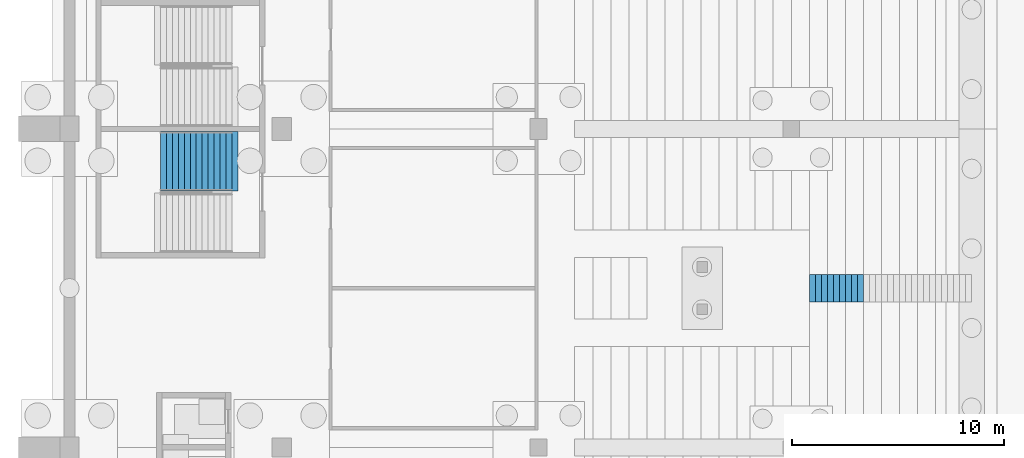
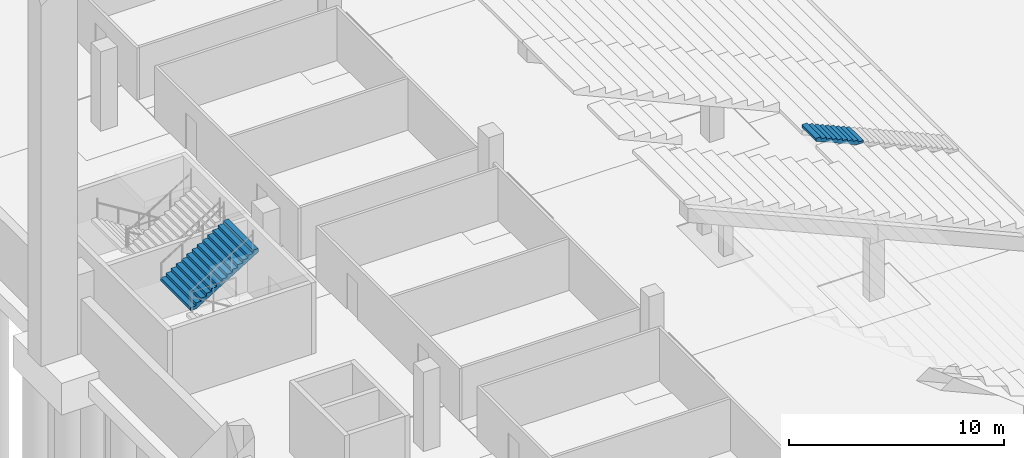
# One storey, part 77 of 115: 2 stair flights, 2 elements without a shape of their own.
"""IFC4 building model written with IfcOpenShell, lengths in metres."""

from ifc_helpers import new_model, si_unit, direction, frame, origin, place, context, subcontext, project, spatial, faceted_brep, material, type_object, element, aggregate, save


model = new_model("IFC4")

# Units and contexts
model_context = context("Model", 3, precision=1e-05, world=origin(), true_north=direction((0.0, 1.0)))
body_context = subcontext(model_context, "Body", "Model", "MODEL_VIEW")
ifc_project = project(units=[si_unit("LENGTHUNIT", "METRE"), si_unit("AREAUNIT", "SQUARE_METRE"), si_unit("VOLUMEUNIT", "CUBIC_METRE"), si_unit("PLANEANGLEUNIT", "RADIAN"), si_unit("MASSUNIT", "GRAM", prefix="KILO")], contexts=[model_context])

# Site, building, storey
site_placement = place(None, origin())
site = spatial("IfcSite", under=ifc_project, at=site_placement, CompositionType="ELEMENT")
building_placement = place(site_placement, origin())
building = spatial("IfcBuilding", under=site, at=building_placement, Name="Ogive Plaza Stadium", CompositionType="ELEMENT")
storey_placement = place(building_placement, frame((0.0, 0.0, -4.5)))
storey = spatial("IfcBuildingStorey", under=building, at=storey_placement, Name="B1", CompositionType="ELEMENT", Elevation=-4.5)

# Stair, stair flight
ifc_material_1 = material(Name="Concrete C40/50", Category="concrete")
stair_type_1 = type_object("IfcStairType", Name="Aisle stair", PredefinedType="STRAIGHT_RUN_STAIR", material=ifc_material_1)
stair_1_placement = place(storey_placement, origin())
stair_1 = element("IfcStair", 1, at=stair_1_placement, inside=storey, type_object=stair_type_1, Name="Aisle stair SA25D", PredefinedType="STRAIGHT_RUN_STAIR")
ifc_material_2 = material(Name="Concrete C40/50", Category="concrete")
stair_flight_type_1 = type_object("IfcStairFlightType", Name="Aisle stair flight", PredefinedType="STRAIGHT", material=ifc_material_2)
stair_flight_1_placement = place(storey_placement, frame((-46.60009765625, 15.0, 3.375), z_axis=(0.0, 0.0, 1.0), x_axis=(-1.0, 0.0, 0.0)))
stair_flight_1 = element("IfcStairFlight", 2, at=stair_flight_1_placement, type_object=stair_flight_type_1, Name="SA25D flight 2", NumberOfRisers=9, NumberOfTreads=8, PredefinedType="STRAIGHT", RiserHeight=0.125, TreadLength=0.283333333, context=body_context, shape_type="Brep", body=[
    faceted_brep([(0.371337890625, -0.64990234375, 0.0), (2.550048828125, -0.64990234375, 0.961181640625), (2.550048828125, -0.64990234375, 1.125), (2.2666015625, -0.64990234375, 1.125), (2.2666015625, -0.64990234375, 1.0), (1.9833984375, -0.64990234375, 1.0), (1.9833984375, -0.64990234375, 0.875), (1.699951171875, -0.64990234375, 0.875), (1.699951171875, -0.64990234375, 0.75), (1.416748046875, -0.64990234375, 0.75), (1.416748046875, -0.64990234375, 0.625), (1.13330078125, -0.64990234375, 0.625), (1.13330078125, -0.64990234375, 0.5), (0.85009765625, -0.64990234375, 0.5), (0.85009765625, -0.64990234375, 0.375), (0.566650390625, -0.64990234375, 0.375), (0.566650390625, -0.64990234375, 0.25), (0.283447265625, -0.64990234375, 0.25), (0.283447265625, -0.64990234375, 0.125), (0.0, -0.64990234375, 0.125), (0.0, -0.64990234375, 0.0), (0.0, 0.64990234375, 0.0), (0.0, 0.64990234375, 0.125), (0.283447265625, 0.64990234375, 0.125), (0.283447265625, 0.64990234375, 0.25), (0.566650390625, 0.64990234375, 0.25), (0.566650390625, 0.64990234375, 0.375), (0.85009765625, 0.64990234375, 0.375), (0.85009765625, 0.64990234375, 0.5), (1.13330078125, 0.64990234375, 0.5), (1.13330078125, 0.64990234375, 0.625), (1.416748046875, 0.64990234375, 0.625), (1.416748046875, 0.64990234375, 0.75), (1.699951171875, 0.64990234375, 0.75), (1.699951171875, 0.64990234375, 0.875), (1.9833984375, 0.64990234375, 0.875), (1.9833984375, 0.64990234375, 1.0), (2.2666015625, 0.64990234375, 1.0), (2.2666015625, 0.64990234375, 1.125), (2.550048828125, 0.64990234375, 1.125), (2.550048828125, 0.64990234375, 0.961181640625), (0.371337890625, 0.64990234375, 0.0), (0.371337890625, -0.324951171875, 0.0), (2.550048828125, -0.324951171875, 0.961181640625), (0.371337890625, 0.0, 0.0), (2.550048828125, 0.0, 0.961181640625), (0.371337890625, 0.324951171875, 0.0), (2.550048828125, 0.324951171875, 0.961181640625), (2.550048828125, -0.324951171875, 1.125), (2.550048828125, 0.0, 1.125), (2.550048828125, 0.324951171875, 1.125), (2.2666015625, -0.324951171875, 1.125), (2.2666015625, 0.0, 1.125), (2.2666015625, 0.324951171875, 1.125), (2.2666015625, -0.324951171875, 1.0), (2.2666015625, 0.0, 1.0), (2.2666015625, 0.324951171875, 1.0), (1.9833984375, -0.324951171875, 1.0), (1.9833984375, 0.0, 1.0), (1.9833984375, 0.324951171875, 1.0), (1.9833984375, -0.324951171875, 0.875), (1.9833984375, 0.0, 0.875), (1.9833984375, 0.324951171875, 0.875), (1.699951171875, -0.324951171875, 0.875), (1.699951171875, 0.0, 0.875), (1.699951171875, 0.324951171875, 0.875), (1.699951171875, -0.324951171875, 0.75), (1.699951171875, 0.0, 0.75), (1.699951171875, 0.324951171875, 0.75), (1.416748046875, -0.324951171875, 0.75), (1.416748046875, 0.0, 0.75), (1.416748046875, 0.324951171875, 0.75), (1.416748046875, -0.324951171875, 0.625), (1.416748046875, 0.0, 0.625), (1.416748046875, 0.324951171875, 0.625), (1.13330078125, -0.324951171875, 0.625), (1.13330078125, 0.0, 0.625), (1.13330078125, 0.324951171875, 0.625), (1.13330078125, -0.324951171875, 0.5), (1.13330078125, 0.0, 0.5), (1.13330078125, 0.324951171875, 0.5), (0.85009765625, -0.324951171875, 0.5), (0.85009765625, 0.0, 0.5), (0.85009765625, 0.324951171875, 0.5), (0.85009765625, -0.324951171875, 0.375), (0.85009765625, 0.0, 0.375), (0.85009765625, 0.324951171875, 0.375), (0.566650390625, -0.324951171875, 0.375), (0.566650390625, 0.0, 0.375), (0.566650390625, 0.324951171875, 0.375), (0.566650390625, -0.324951171875, 0.25), (0.566650390625, 0.0, 0.25), (0.566650390625, 0.324951171875, 0.25), (0.283447265625, -0.324951171875, 0.25), (0.283447265625, 0.0, 0.25), (0.283447265625, 0.324951171875, 0.25), (0.283447265625, -0.324951171875, 0.125), (0.283447265625, 0.0, 0.125), (0.283447265625, 0.324951171875, 0.125), (0.0, -0.324951171875, 0.125), (0.0, 0.0, 0.125), (0.0, 0.324951171875, 0.125), (0.0, -0.324951171875, 0.0), (0.0, 0.0, 0.0), (0.0, 0.324951171875, 0.0)], [[[0, 1, 2, 3, 4, 5, 6, 7, 8, 9, 10, 11, 12, 13, 14, 15, 16, 17, 18, 19, 20]], [[21, 22, 23, 24, 25, 26, 27, 28, 29, 30, 31, 32, 33, 34, 35, 36, 37, 38, 39, 40, 41]], [[0, 42, 43, 1]], [[42, 44, 45, 43]], [[44, 46, 47, 45]], [[46, 41, 40, 47]], [[1, 43, 48, 2]], [[43, 45, 49, 48]], [[45, 47, 50, 49]], [[47, 40, 39, 50]], [[2, 48, 51, 3]], [[48, 49, 52, 51]], [[49, 50, 53, 52]], [[50, 39, 38, 53]], [[3, 51, 54, 4]], [[51, 52, 55, 54]], [[52, 53, 56, 55]], [[53, 38, 37, 56]], [[4, 54, 57, 5]], [[54, 55, 58, 57]], [[55, 56, 59, 58]], [[56, 37, 36, 59]], [[5, 57, 60, 6]], [[57, 58, 61, 60]], [[58, 59, 62, 61]], [[59, 36, 35, 62]], [[6, 60, 63, 7]], [[60, 61, 64, 63]], [[61, 62, 65, 64]], [[62, 35, 34, 65]], [[7, 63, 66, 8]], [[63, 64, 67, 66]], [[64, 65, 68, 67]], [[65, 34, 33, 68]], [[8, 66, 69, 9]], [[66, 67, 70, 69]], [[67, 68, 71, 70]], [[68, 33, 32, 71]], [[9, 69, 72, 10]], [[69, 70, 73, 72]], [[70, 71, 74, 73]], [[71, 32, 31, 74]], [[10, 72, 75, 11]], [[72, 73, 76, 75]], [[73, 74, 77, 76]], [[74, 31, 30, 77]], [[11, 75, 78, 12]], [[75, 76, 79, 78]], [[76, 77, 80, 79]], [[77, 30, 29, 80]], [[12, 78, 81, 13]], [[78, 79, 82, 81]], [[79, 80, 83, 82]], [[80, 29, 28, 83]], [[13, 81, 84, 14]], [[81, 82, 85, 84]], [[82, 83, 86, 85]], [[83, 28, 27, 86]], [[14, 84, 87, 15]], [[84, 85, 88, 87]], [[85, 86, 89, 88]], [[86, 27, 26, 89]], [[15, 87, 90, 16]], [[87, 88, 91, 90]], [[88, 89, 92, 91]], [[89, 26, 25, 92]], [[16, 90, 93, 17]], [[90, 91, 94, 93]], [[91, 92, 95, 94]], [[92, 25, 24, 95]], [[17, 93, 96, 18]], [[93, 94, 97, 96]], [[94, 95, 98, 97]], [[95, 24, 23, 98]], [[18, 96, 99, 19]], [[96, 97, 100, 99]], [[97, 98, 101, 100]], [[98, 23, 22, 101]], [[19, 99, 102, 20]], [[99, 100, 103, 102]], [[100, 101, 104, 103]], [[101, 22, 21, 104]], [[20, 102, 42, 0]], [[102, 103, 44, 42]], [[103, 104, 46, 44]], [[104, 21, 41, 46]]]),
])
aggregate(stair_1, [stair_flight_1])

ifc_material_3 = material(Name="Concrete C40/50", Category="concrete")
stair_type_2 = type_object("IfcStairType", Name="Exit stair", PredefinedType="STRAIGHT_RUN_STAIR", material=ifc_material_3)
stair_2_placement = place(storey_placement, origin())
stair_2 = element("IfcStair", 3, at=stair_2_placement, inside=storey, type_object=stair_type_2, Name="Exit stair ST26B B1 to L00", PredefinedType="STRAIGHT_RUN_STAIR")
ifc_material_4 = material(Name="Concrete C40/50", Category="concrete")
stair_flight_type_2 = type_object("IfcStairFlightType", Name="Exit stair flight", PredefinedType="STRAIGHT", material=ifc_material_4)
stair_flight_2_placement = place(storey_placement, frame((-79.7099609375, 20.97509765625, 2.25), z_axis=(0.0, 0.0, 1.0), x_axis=(1.0, 0.0, 0.0)))
stair_flight_2 = element("IfcStairFlight", 4, at=stair_flight_2_placement, type_object=stair_flight_type_2, Name="ST26B flight 2", NumberOfRisers=13, NumberOfTreads=12, PredefinedType="STRAIGHT", RiserHeight=0.173076923, TreadLength=0.28, context=body_context, shape_type="Brep", body=[
    faceted_brep([(0.28515625, -1.39990234375, 0.0), (3.639892578125, -1.39990234375, 2.07373046875), (3.639892578125, -1.39990234375, 2.25), (3.360107421875, -1.39990234375, 2.25), (3.360107421875, -1.39990234375, 2.076904296875), (3.080078125, -1.39990234375, 2.076904296875), (3.080078125, -1.39990234375, 1.90380859375), (2.800048828125, -1.39990234375, 1.90380859375), (2.800048828125, -1.39990234375, 1.730712890625), (2.52001953125, -1.39990234375, 1.730712890625), (2.52001953125, -1.39990234375, 1.5576171875), (2.239990234375, -1.39990234375, 1.5576171875), (2.239990234375, -1.39990234375, 1.384521484375), (1.9599609375, -1.39990234375, 1.384521484375), (1.9599609375, -1.39990234375, 1.21142578125), (1.679931640625, -1.39990234375, 1.21142578125), (1.679931640625, -1.39990234375, 1.03857421875), (1.39990234375, -1.39990234375, 1.03857421875), (1.39990234375, -1.39990234375, 0.865478515625), (1.1201171875, -1.39990234375, 0.865478515625), (1.1201171875, -1.39990234375, 0.6923828125), (0.840087890625, -1.39990234375, 0.6923828125), (0.840087890625, -1.39990234375, 0.519287109375), (0.56005859375, -1.39990234375, 0.519287109375), (0.56005859375, -1.39990234375, 0.34619140625), (0.280029296875, -1.39990234375, 0.34619140625), (0.280029296875, -1.39990234375, 0.173095703125), (0.0, -1.39990234375, 0.173095703125), (0.0, -1.39990234375, 0.0), (0.0, 1.39990234375, 0.0), (0.0, 1.39990234375, 0.173095703125), (0.280029296875, 1.39990234375, 0.173095703125), (0.280029296875, 1.39990234375, 0.34619140625), (0.56005859375, 1.39990234375, 0.34619140625), (0.56005859375, 1.39990234375, 0.519287109375), (0.840087890625, 1.39990234375, 0.519287109375), (0.840087890625, 1.39990234375, 0.6923828125), (1.1201171875, 1.39990234375, 0.6923828125), (1.1201171875, 1.39990234375, 0.865478515625), (1.39990234375, 1.39990234375, 0.865478515625), (1.39990234375, 1.39990234375, 1.03857421875), (1.679931640625, 1.39990234375, 1.03857421875), (1.679931640625, 1.39990234375, 1.21142578125), (1.9599609375, 1.39990234375, 1.21142578125), (1.9599609375, 1.39990234375, 1.384521484375), (2.239990234375, 1.39990234375, 1.384521484375), (2.239990234375, 1.39990234375, 1.5576171875), (2.52001953125, 1.39990234375, 1.5576171875), (2.52001953125, 1.39990234375, 1.730712890625), (2.800048828125, 1.39990234375, 1.730712890625), (2.800048828125, 1.39990234375, 1.90380859375), (3.080078125, 1.39990234375, 1.90380859375), (3.080078125, 1.39990234375, 2.076904296875), (3.360107421875, 1.39990234375, 2.076904296875), (3.360107421875, 1.39990234375, 2.25), (3.639892578125, 1.39990234375, 2.25), (3.639892578125, 1.39990234375, 2.07373046875), (0.28515625, 1.39990234375, 0.0), (0.28515625, -1.0888671875, 0.0), (3.639892578125, -1.0888671875, 2.07373046875), (0.28515625, -0.77783203125, 0.0), (3.639892578125, -0.77783203125, 2.07373046875), (0.28515625, -0.466796875, 0.0), (3.639892578125, -0.466796875, 2.07373046875), (0.28515625, -0.155517578125, 0.0), (3.639892578125, -0.155517578125, 2.07373046875), (0.28515625, 0.155517578125, 0.0), (3.639892578125, 0.155517578125, 2.07373046875), (0.28515625, 0.466796875, 0.0), (3.639892578125, 0.466796875, 2.07373046875), (0.28515625, 0.77783203125, 0.0), (3.639892578125, 0.77783203125, 2.07373046875), (0.28515625, 1.0888671875, 0.0), (3.639892578125, 1.0888671875, 2.07373046875), (3.639892578125, -1.0888671875, 2.25), (3.639892578125, -0.77783203125, 2.25), (3.639892578125, -0.466796875, 2.25), (3.639892578125, -0.155517578125, 2.25), (3.639892578125, 0.155517578125, 2.25), (3.639892578125, 0.466796875, 2.25), (3.639892578125, 0.77783203125, 2.25), (3.639892578125, 1.0888671875, 2.25), (3.360107421875, -1.0888671875, 2.25), (3.360107421875, -0.77783203125, 2.25), (3.360107421875, -0.466796875, 2.25), (3.360107421875, -0.155517578125, 2.25), (3.360107421875, 0.155517578125, 2.25), (3.360107421875, 0.466796875, 2.25), (3.360107421875, 0.77783203125, 2.25), (3.360107421875, 1.0888671875, 2.25), (3.360107421875, -1.0888671875, 2.076904296875), (3.360107421875, -0.77783203125, 2.076904296875), (3.360107421875, -0.466796875, 2.076904296875), (3.360107421875, -0.155517578125, 2.076904296875), (3.360107421875, 0.155517578125, 2.076904296875), (3.360107421875, 0.466796875, 2.076904296875), (3.360107421875, 0.77783203125, 2.076904296875), (3.360107421875, 1.0888671875, 2.076904296875), (3.080078125, -1.0888671875, 2.076904296875), (3.080078125, -0.77783203125, 2.076904296875), (3.080078125, -0.466796875, 2.076904296875), (3.080078125, -0.155517578125, 2.076904296875), (3.080078125, 0.155517578125, 2.076904296875), (3.080078125, 0.466796875, 2.076904296875), (3.080078125, 0.77783203125, 2.076904296875), (3.080078125, 1.0888671875, 2.076904296875), (3.080078125, -1.0888671875, 1.90380859375), (3.080078125, -0.77783203125, 1.90380859375), (3.080078125, -0.466796875, 1.90380859375), (3.080078125, -0.155517578125, 1.90380859375), (3.080078125, 0.155517578125, 1.90380859375), (3.080078125, 0.466796875, 1.90380859375), (3.080078125, 0.77783203125, 1.90380859375), (3.080078125, 1.0888671875, 1.90380859375), (2.800048828125, -1.0888671875, 1.90380859375), (2.800048828125, -0.77783203125, 1.90380859375), (2.800048828125, -0.466796875, 1.90380859375), (2.800048828125, -0.155517578125, 1.90380859375), (2.800048828125, 0.155517578125, 1.90380859375), (2.800048828125, 0.466796875, 1.90380859375), (2.800048828125, 0.77783203125, 1.90380859375), (2.800048828125, 1.0888671875, 1.90380859375), (2.800048828125, -1.0888671875, 1.730712890625), (2.800048828125, -0.77783203125, 1.730712890625), (2.800048828125, -0.466796875, 1.730712890625), (2.800048828125, -0.155517578125, 1.730712890625), (2.800048828125, 0.155517578125, 1.730712890625), (2.800048828125, 0.466796875, 1.730712890625), (2.800048828125, 0.77783203125, 1.730712890625), (2.800048828125, 1.0888671875, 1.730712890625), (2.52001953125, -1.0888671875, 1.730712890625), (2.52001953125, -0.77783203125, 1.730712890625), (2.52001953125, -0.466796875, 1.730712890625), (2.52001953125, -0.155517578125, 1.730712890625), (2.52001953125, 0.155517578125, 1.730712890625), (2.52001953125, 0.466796875, 1.730712890625), (2.52001953125, 0.77783203125, 1.730712890625), (2.52001953125, 1.0888671875, 1.730712890625), (2.52001953125, -1.0888671875, 1.5576171875), (2.52001953125, -0.77783203125, 1.5576171875), (2.52001953125, -0.466796875, 1.5576171875), (2.52001953125, -0.155517578125, 1.5576171875), (2.52001953125, 0.155517578125, 1.5576171875), (2.52001953125, 0.466796875, 1.5576171875), (2.52001953125, 0.77783203125, 1.5576171875), (2.52001953125, 1.0888671875, 1.5576171875), (2.239990234375, -1.0888671875, 1.5576171875), (2.239990234375, -0.77783203125, 1.5576171875), (2.239990234375, -0.466796875, 1.5576171875), (2.239990234375, -0.155517578125, 1.5576171875), (2.239990234375, 0.155517578125, 1.5576171875), (2.239990234375, 0.466796875, 1.5576171875), (2.239990234375, 0.77783203125, 1.5576171875), (2.239990234375, 1.0888671875, 1.5576171875), (2.239990234375, -1.0888671875, 1.384521484375), (2.239990234375, -0.77783203125, 1.384521484375), (2.239990234375, -0.466796875, 1.384521484375), (2.239990234375, -0.155517578125, 1.384521484375), (2.239990234375, 0.155517578125, 1.384521484375), (2.239990234375, 0.466796875, 1.384521484375), (2.239990234375, 0.77783203125, 1.384521484375), (2.239990234375, 1.0888671875, 1.384521484375), (1.9599609375, -1.0888671875, 1.384521484375), (1.9599609375, -0.77783203125, 1.384521484375), (1.9599609375, -0.466796875, 1.384521484375), (1.9599609375, -0.155517578125, 1.384521484375), (1.9599609375, 0.155517578125, 1.384521484375), (1.9599609375, 0.466796875, 1.384521484375), (1.9599609375, 0.77783203125, 1.384521484375), (1.9599609375, 1.0888671875, 1.384521484375), (1.9599609375, -1.0888671875, 1.21142578125), (1.9599609375, -0.77783203125, 1.21142578125), (1.9599609375, -0.466796875, 1.21142578125), (1.9599609375, -0.155517578125, 1.21142578125), (1.9599609375, 0.155517578125, 1.21142578125), (1.9599609375, 0.466796875, 1.21142578125), (1.9599609375, 0.77783203125, 1.21142578125), (1.9599609375, 1.0888671875, 1.21142578125), (1.679931640625, -1.0888671875, 1.21142578125), (1.679931640625, -0.77783203125, 1.21142578125), (1.679931640625, -0.466796875, 1.21142578125), (1.679931640625, -0.155517578125, 1.21142578125), (1.679931640625, 0.155517578125, 1.21142578125), (1.679931640625, 0.466796875, 1.21142578125), (1.679931640625, 0.77783203125, 1.21142578125), (1.679931640625, 1.0888671875, 1.21142578125), (1.679931640625, -1.0888671875, 1.03857421875), (1.679931640625, -0.77783203125, 1.03857421875), (1.679931640625, -0.466796875, 1.03857421875), (1.679931640625, -0.155517578125, 1.03857421875), (1.679931640625, 0.155517578125, 1.03857421875), (1.679931640625, 0.466796875, 1.03857421875), (1.679931640625, 0.77783203125, 1.03857421875), (1.679931640625, 1.0888671875, 1.03857421875), (1.39990234375, -1.0888671875, 1.03857421875), (1.39990234375, -0.77783203125, 1.03857421875), (1.39990234375, -0.466796875, 1.03857421875), (1.39990234375, -0.155517578125, 1.03857421875), (1.39990234375, 0.155517578125, 1.03857421875), (1.39990234375, 0.466796875, 1.03857421875), (1.39990234375, 0.77783203125, 1.03857421875), (1.39990234375, 1.0888671875, 1.03857421875), (1.39990234375, -1.0888671875, 0.865478515625), (1.39990234375, -0.77783203125, 0.865478515625), (1.39990234375, -0.466796875, 0.865478515625), (1.39990234375, -0.155517578125, 0.865478515625), (1.39990234375, 0.155517578125, 0.865478515625), (1.39990234375, 0.466796875, 0.865478515625), (1.39990234375, 0.77783203125, 0.865478515625), (1.39990234375, 1.0888671875, 0.865478515625), (1.1201171875, -1.0888671875, 0.865478515625), (1.1201171875, -0.77783203125, 0.865478515625), (1.1201171875, -0.466796875, 0.865478515625), (1.1201171875, -0.155517578125, 0.865478515625), (1.1201171875, 0.155517578125, 0.865478515625), (1.1201171875, 0.466796875, 0.865478515625), (1.1201171875, 0.77783203125, 0.865478515625), (1.1201171875, 1.0888671875, 0.865478515625), (1.1201171875, -1.0888671875, 0.6923828125), (1.1201171875, -0.77783203125, 0.6923828125), (1.1201171875, -0.466796875, 0.6923828125), (1.1201171875, -0.155517578125, 0.6923828125), (1.1201171875, 0.155517578125, 0.6923828125), (1.1201171875, 0.466796875, 0.6923828125), (1.1201171875, 0.77783203125, 0.6923828125), (1.1201171875, 1.0888671875, 0.6923828125), (0.840087890625, -1.0888671875, 0.6923828125), (0.840087890625, -0.77783203125, 0.6923828125), (0.840087890625, -0.466796875, 0.6923828125), (0.840087890625, -0.155517578125, 0.6923828125), (0.840087890625, 0.155517578125, 0.6923828125), (0.840087890625, 0.466796875, 0.6923828125), (0.840087890625, 0.77783203125, 0.6923828125), (0.840087890625, 1.0888671875, 0.6923828125), (0.840087890625, -1.0888671875, 0.519287109375), (0.840087890625, -0.77783203125, 0.519287109375), (0.840087890625, -0.466796875, 0.519287109375), (0.840087890625, -0.155517578125, 0.519287109375), (0.840087890625, 0.155517578125, 0.519287109375), (0.840087890625, 0.466796875, 0.519287109375), (0.840087890625, 0.77783203125, 0.519287109375), (0.840087890625, 1.0888671875, 0.519287109375), (0.56005859375, -1.0888671875, 0.519287109375), (0.56005859375, -0.77783203125, 0.519287109375), (0.56005859375, -0.466796875, 0.519287109375), (0.56005859375, -0.155517578125, 0.519287109375), (0.56005859375, 0.155517578125, 0.519287109375), (0.56005859375, 0.466796875, 0.519287109375), (0.56005859375, 0.77783203125, 0.519287109375), (0.56005859375, 1.0888671875, 0.519287109375), (0.56005859375, -1.0888671875, 0.34619140625), (0.56005859375, -0.77783203125, 0.34619140625), (0.56005859375, -0.466796875, 0.34619140625), (0.56005859375, -0.155517578125, 0.34619140625), (0.56005859375, 0.155517578125, 0.34619140625), (0.56005859375, 0.466796875, 0.34619140625), (0.56005859375, 0.77783203125, 0.34619140625), (0.56005859375, 1.0888671875, 0.34619140625), (0.280029296875, -1.0888671875, 0.34619140625), (0.280029296875, -0.77783203125, 0.34619140625), (0.280029296875, -0.466796875, 0.34619140625), (0.280029296875, -0.155517578125, 0.34619140625), (0.280029296875, 0.155517578125, 0.34619140625), (0.280029296875, 0.466796875, 0.34619140625), (0.280029296875, 0.77783203125, 0.34619140625), (0.280029296875, 1.0888671875, 0.34619140625), (0.280029296875, -1.0888671875, 0.173095703125), (0.280029296875, -0.77783203125, 0.173095703125), (0.280029296875, -0.466796875, 0.173095703125), (0.280029296875, -0.155517578125, 0.173095703125), (0.280029296875, 0.155517578125, 0.173095703125), (0.280029296875, 0.466796875, 0.173095703125), (0.280029296875, 0.77783203125, 0.173095703125), (0.280029296875, 1.0888671875, 0.173095703125), (0.0, -1.0888671875, 0.173095703125), (0.0, -0.77783203125, 0.173095703125), (0.0, -0.466796875, 0.173095703125), (0.0, -0.155517578125, 0.173095703125), (0.0, 0.155517578125, 0.173095703125), (0.0, 0.466796875, 0.173095703125), (0.0, 0.77783203125, 0.173095703125), (0.0, 1.0888671875, 0.173095703125), (0.0, -1.0888671875, 0.0), (0.0, -0.77783203125, 0.0), (0.0, -0.466796875, 0.0), (0.0, -0.155517578125, 0.0), (0.0, 0.155517578125, 0.0), (0.0, 0.466796875, 0.0), (0.0, 0.77783203125, 0.0), (0.0, 1.0888671875, 0.0)], [[[0, 1, 2, 3, 4, 5, 6, 7, 8, 9, 10, 11, 12, 13, 14, 15, 16, 17, 18, 19, 20, 21, 22, 23, 24, 25, 26, 27, 28]], [[29, 30, 31, 32, 33, 34, 35, 36, 37, 38, 39, 40, 41, 42, 43, 44, 45, 46, 47, 48, 49, 50, 51, 52, 53, 54, 55, 56, 57]], [[0, 58, 59, 1]], [[58, 60, 61, 59]], [[60, 62, 63, 61]], [[62, 64, 65, 63]], [[64, 66, 67, 65]], [[66, 68, 69, 67]], [[68, 70, 71, 69]], [[70, 72, 73, 71]], [[72, 57, 56, 73]], [[1, 59, 74, 2]], [[59, 61, 75, 74]], [[61, 63, 76, 75]], [[63, 65, 77, 76]], [[65, 67, 78, 77]], [[67, 69, 79, 78]], [[69, 71, 80, 79]], [[71, 73, 81, 80]], [[73, 56, 55, 81]], [[2, 74, 82, 3]], [[74, 75, 83, 82]], [[75, 76, 84, 83]], [[76, 77, 85, 84]], [[77, 78, 86, 85]], [[78, 79, 87, 86]], [[79, 80, 88, 87]], [[80, 81, 89, 88]], [[81, 55, 54, 89]], [[3, 82, 90, 4]], [[82, 83, 91, 90]], [[83, 84, 92, 91]], [[84, 85, 93, 92]], [[85, 86, 94, 93]], [[86, 87, 95, 94]], [[87, 88, 96, 95]], [[88, 89, 97, 96]], [[89, 54, 53, 97]], [[4, 90, 98, 5]], [[90, 91, 99, 98]], [[91, 92, 100, 99]], [[92, 93, 101, 100]], [[93, 94, 102, 101]], [[94, 95, 103, 102]], [[95, 96, 104, 103]], [[96, 97, 105, 104]], [[97, 53, 52, 105]], [[5, 98, 106, 6]], [[98, 99, 107, 106]], [[99, 100, 108, 107]], [[100, 101, 109, 108]], [[101, 102, 110, 109]], [[102, 103, 111, 110]], [[103, 104, 112, 111]], [[104, 105, 113, 112]], [[105, 52, 51, 113]], [[6, 106, 114, 7]], [[106, 107, 115, 114]], [[107, 108, 116, 115]], [[108, 109, 117, 116]], [[109, 110, 118, 117]], [[110, 111, 119, 118]], [[111, 112, 120, 119]], [[112, 113, 121, 120]], [[113, 51, 50, 121]], [[7, 114, 122, 8]], [[114, 115, 123, 122]], [[115, 116, 124, 123]], [[116, 117, 125, 124]], [[117, 118, 126, 125]], [[118, 119, 127, 126]], [[119, 120, 128, 127]], [[120, 121, 129, 128]], [[121, 50, 49, 129]], [[8, 122, 130, 9]], [[122, 123, 131, 130]], [[123, 124, 132, 131]], [[124, 125, 133, 132]], [[125, 126, 134, 133]], [[126, 127, 135, 134]], [[127, 128, 136, 135]], [[128, 129, 137, 136]], [[129, 49, 48, 137]], [[9, 130, 138, 10]], [[130, 131, 139, 138]], [[131, 132, 140, 139]], [[132, 133, 141, 140]], [[133, 134, 142, 141]], [[134, 135, 143, 142]], [[135, 136, 144, 143]], [[136, 137, 145, 144]], [[137, 48, 47, 145]], [[10, 138, 146, 11]], [[138, 139, 147, 146]], [[139, 140, 148, 147]], [[140, 141, 149, 148]], [[141, 142, 150, 149]], [[142, 143, 151, 150]], [[143, 144, 152, 151]], [[144, 145, 153, 152]], [[145, 47, 46, 153]], [[11, 146, 154, 12]], [[146, 147, 155, 154]], [[147, 148, 156, 155]], [[148, 149, 157, 156]], [[149, 150, 158, 157]], [[150, 151, 159, 158]], [[151, 152, 160, 159]], [[152, 153, 161, 160]], [[153, 46, 45, 161]], [[12, 154, 162, 13]], [[154, 155, 163, 162]], [[155, 156, 164, 163]], [[156, 157, 165, 164]], [[157, 158, 166, 165]], [[158, 159, 167, 166]], [[159, 160, 168, 167]], [[160, 161, 169, 168]], [[161, 45, 44, 169]], [[13, 162, 170, 14]], [[162, 163, 171, 170]], [[163, 164, 172, 171]], [[164, 165, 173, 172]], [[165, 166, 174, 173]], [[166, 167, 175, 174]], [[167, 168, 176, 175]], [[168, 169, 177, 176]], [[169, 44, 43, 177]], [[14, 170, 178, 15]], [[170, 171, 179, 178]], [[171, 172, 180, 179]], [[172, 173, 181, 180]], [[173, 174, 182, 181]], [[174, 175, 183, 182]], [[175, 176, 184, 183]], [[176, 177, 185, 184]], [[177, 43, 42, 185]], [[15, 178, 186, 16]], [[178, 179, 187, 186]], [[179, 180, 188, 187]], [[180, 181, 189, 188]], [[181, 182, 190, 189]], [[182, 183, 191, 190]], [[183, 184, 192, 191]], [[184, 185, 193, 192]], [[185, 42, 41, 193]], [[16, 186, 194, 17]], [[186, 187, 195, 194]], [[187, 188, 196, 195]], [[188, 189, 197, 196]], [[189, 190, 198, 197]], [[190, 191, 199, 198]], [[191, 192, 200, 199]], [[192, 193, 201, 200]], [[193, 41, 40, 201]], [[17, 194, 202, 18]], [[194, 195, 203, 202]], [[195, 196, 204, 203]], [[196, 197, 205, 204]], [[197, 198, 206, 205]], [[198, 199, 207, 206]], [[199, 200, 208, 207]], [[200, 201, 209, 208]], [[201, 40, 39, 209]], [[18, 202, 210, 19]], [[202, 203, 211, 210]], [[203, 204, 212, 211]], [[204, 205, 213, 212]], [[205, 206, 214, 213]], [[206, 207, 215, 214]], [[207, 208, 216, 215]], [[208, 209, 217, 216]], [[209, 39, 38, 217]], [[19, 210, 218, 20]], [[210, 211, 219, 218]], [[211, 212, 220, 219]], [[212, 213, 221, 220]], [[213, 214, 222, 221]], [[214, 215, 223, 222]], [[215, 216, 224, 223]], [[216, 217, 225, 224]], [[217, 38, 37, 225]], [[20, 218, 226, 21]], [[218, 219, 227, 226]], [[219, 220, 228, 227]], [[220, 221, 229, 228]], [[221, 222, 230, 229]], [[222, 223, 231, 230]], [[223, 224, 232, 231]], [[224, 225, 233, 232]], [[225, 37, 36, 233]], [[21, 226, 234, 22]], [[226, 227, 235, 234]], [[227, 228, 236, 235]], [[228, 229, 237, 236]], [[229, 230, 238, 237]], [[230, 231, 239, 238]], [[231, 232, 240, 239]], [[232, 233, 241, 240]], [[233, 36, 35, 241]], [[22, 234, 242, 23]], [[234, 235, 243, 242]], [[235, 236, 244, 243]], [[236, 237, 245, 244]], [[237, 238, 246, 245]], [[238, 239, 247, 246]], [[239, 240, 248, 247]], [[240, 241, 249, 248]], [[241, 35, 34, 249]], [[23, 242, 250, 24]], [[242, 243, 251, 250]], [[243, 244, 252, 251]], [[244, 245, 253, 252]], [[245, 246, 254, 253]], [[246, 247, 255, 254]], [[247, 248, 256, 255]], [[248, 249, 257, 256]], [[249, 34, 33, 257]], [[24, 250, 258, 25]], [[250, 251, 259, 258]], [[251, 252, 260, 259]], [[252, 253, 261, 260]], [[253, 254, 262, 261]], [[254, 255, 263, 262]], [[255, 256, 264, 263]], [[256, 257, 265, 264]], [[257, 33, 32, 265]], [[25, 258, 266, 26]], [[258, 259, 267, 266]], [[259, 260, 268, 267]], [[260, 261, 269, 268]], [[261, 262, 270, 269]], [[262, 263, 271, 270]], [[263, 264, 272, 271]], [[264, 265, 273, 272]], [[265, 32, 31, 273]], [[26, 266, 274, 27]], [[266, 267, 275, 274]], [[267, 268, 276, 275]], [[268, 269, 277, 276]], [[269, 270, 278, 277]], [[270, 271, 279, 278]], [[271, 272, 280, 279]], [[272, 273, 281, 280]], [[273, 31, 30, 281]], [[27, 274, 282, 28]], [[274, 275, 283, 282]], [[275, 276, 284, 283]], [[276, 277, 285, 284]], [[277, 278, 286, 285]], [[278, 279, 287, 286]], [[279, 280, 288, 287]], [[280, 281, 289, 288]], [[281, 30, 29, 289]], [[28, 282, 58, 0]], [[282, 283, 60, 58]], [[283, 284, 62, 60]], [[284, 285, 64, 62]], [[285, 286, 66, 64]], [[286, 287, 68, 66]], [[287, 288, 70, 68]], [[288, 289, 72, 70]], [[289, 29, 57, 72]]]),
])
aggregate(stair_2, [stair_flight_2])

save(model, "model.ifc")
